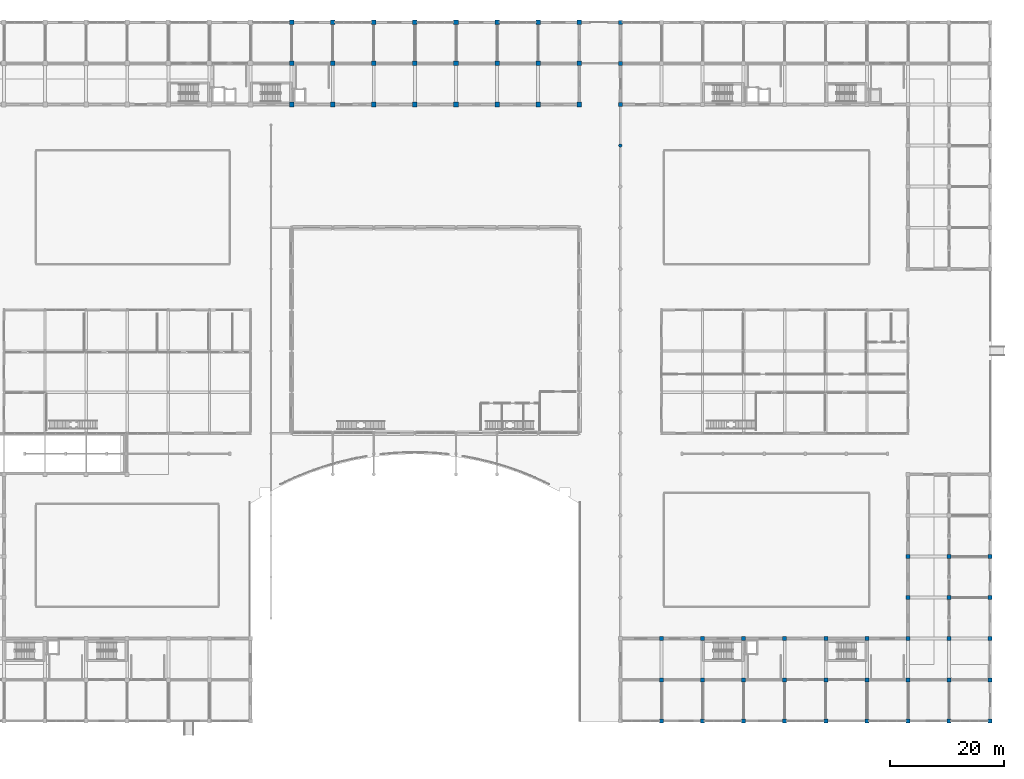
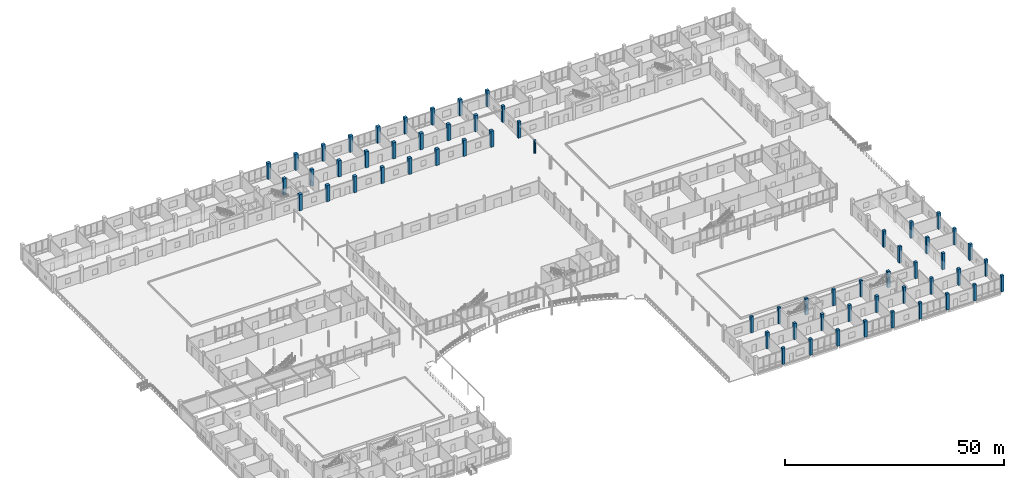
# One storey, part 14 of 139: 61 columns.
"""IFC4 building model written with IfcOpenShell, lengths in metres."""

from ifc_helpers import new_model, si_unit, direction, frame, origin, origin_2d, place, context, subcontext, project, spatial, rectangle, circle, extrude, material, material_profile, profile_set, type_object, element, save


model = new_model("IFC4")

# Units and contexts
model_context = context("Model", 3, precision=1e-05, world=origin(), true_north=direction((0.0, 1.0)))
body_context = subcontext(model_context, "Body", "Model", "MODEL_VIEW")
ifc_project = project(units=[si_unit("LENGTHUNIT", "METRE"), si_unit("AREAUNIT", "SQUARE_METRE"), si_unit("VOLUMEUNIT", "CUBIC_METRE"), si_unit("PLANEANGLEUNIT", "RADIAN"), si_unit("MASSUNIT", "GRAM", prefix="KILO")], contexts=[model_context])

# Site, building, storey
site_placement = place(None, origin())
site = spatial("IfcSite", under=ifc_project, at=site_placement, CompositionType="ELEMENT")
building_placement = place(site_placement, origin())
building = spatial("IfcBuilding", under=site, at=building_placement, Name="Suanplinth Sawtooth Commons", CompositionType="ELEMENT")
storey_placement = place(building_placement, origin())
storey = spatial("IfcBuildingStorey", under=building, at=storey_placement, Name="L00", CompositionType="ELEMENT", Elevation=0.0)

# Columns
ifc_material = material(Name="Concrete C40/50", Category="concrete")
ifc_material_profile_1 = material_profile(ifc_material, rectangle(XDim=0.800048828125, YDim=0.800048828125, at=origin_2d()), Name="RC-COL 800x800")
ifc_profile_set_1 = profile_set([ifc_material_profile_1], Name="Concrete C40/50")
column_type_1 = type_object("IfcColumnType", Name="C-01", PredefinedType="COLUMN", material=ifc_profile_set_1)
for number, where, z_axis, x_axis, name in (
    (1, (64.800048828125, 108.0, 0.0), (0.0, 0.0, 1.0), (1.0, 0.0, 0.0), "Column L00 10/R"),
    (2, (64.800048828125, 115.199951171875, 0.0), (0.0, 0.0, 1.0), (1.0, 0.0, 0.0), "Column L00 10/S"),
    (3, (64.800048828125, 122.39990234375, 0.0), (0.0, 0.0, 1.0), (1.0, 0.0, 0.0), "Column L00 10/T"),
    (4, (72.0, 108.0, 0.0), (0.0, 0.0, 1.0), (1.0, 0.0, 0.0), "Column L00 11/R"),
    (5, (72.0, 115.199951171875, 0.0), (0.0, 0.0, 1.0), (1.0, 0.0, 0.0), "Column L00 11/S"),
    (6, (72.0, 122.39990234375, 0.0), (0.0, 0.0, 1.0), (1.0, 0.0, 0.0), "Column L00 11/T"),
    (7, (79.199951171875, 108.0, 0.0), (0.0, 0.0, 1.0), (1.0, 0.0, 0.0), "Column L00 12/R"),
    (8, (79.199951171875, 115.199951171875, 0.0), (0.0, 0.0, 1.0), (1.0, 0.0, 0.0), "Column L00 12/S"),
    (9, (79.199951171875, 122.39990234375, 0.0), (0.0, 0.0, 1.0), (1.0, 0.0, 0.0), "Column L00 12/T"),
    (10, (86.39990234375, 108.0, 0.0), (0.0, 0.0, 1.0), (1.0, 0.0, 0.0), "Column L00 13/R"),
    (11, (86.39990234375, 115.199951171875, 0.0), (0.0, 0.0, 1.0), (1.0, 0.0, 0.0), "Column L00 13/S"),
    (12, (86.39990234375, 122.39990234375, 0.0), (0.0, 0.0, 1.0), (1.0, 0.0, 0.0), "Column L00 13/T"),
    (13, (93.60009765625, 108.0, 0.0), (0.0, 0.0, 1.0), (1.0, 0.0, 0.0), "Column L00 14/R"),
    (14, (93.60009765625, 115.199951171875, 0.0), (0.0, 0.0, 1.0), (1.0, 0.0, 0.0), "Column L00 14/S"),
    (15, (93.60009765625, 122.39990234375, 0.0), (0.0, 0.0, 1.0), (1.0, 0.0, 0.0), "Column L00 14/T"),
    (16, (100.800048828125, 108.0, 0.0), (0.0, 0.0, 1.0), (1.0, 0.0, 0.0), "Column L00 15/R"),
    (17, (100.800048828125, 115.199951171875, 0.0), (0.0, 0.0, 1.0), (1.0, 0.0, 0.0), "Column L00 15/S"),
    (18, (100.800048828125, 122.39990234375, 0.0), (0.0, 0.0, 1.0), (1.0, 0.0, 0.0), "Column L00 15/T"),
    (19, (108.0, 108.0, 0.0), (0.0, 0.0, 1.0), (1.0, 0.0, 0.0), "Column L00 16/R"),
    (20, (108.0, 115.199951171875, 0.0), (0.0, 0.0, 1.0), (1.0, 0.0, 0.0), "Column L00 16/S"),
    (21, (108.0, 122.39990234375, 0.0), (0.0, 0.0, 1.0), (1.0, 0.0, 0.0), "Column L00 16/T"),
    (22, (115.199951171875, 108.0, 0.0), (0.0, 0.0, 1.0), (1.0, 0.0, 0.0), "Column L00 17/R"),
    (23, (115.199951171875, 115.199951171875, 0.0), (0.0, 0.0, 1.0), (1.0, 0.0, 0.0), "Column L00 17/S"),
    (24, (115.199951171875, 122.39990234375, 0.0), (0.0, 0.0, 1.0), (1.0, 0.0, 0.0), "Column L00 17/T"),
):
    element("IfcColumn", number, at=place(storey_placement, frame(where, z_axis=z_axis, x_axis=x_axis)), inside=storey, type_object=column_type_1, Name=name, PredefinedType="COLUMN", context=body_context, shape_type="SweptSolid", body=[
        extrude(rectangle(XDim=0.800048828125, YDim=0.800048828125, at=origin_2d()), origin(), (0.0, 0.0, 1.0), 4.5),
    ])
ifc_material_profile_2 = material_profile(ifc_material, rectangle(XDim=0.699951171875, YDim=0.699951171875, at=origin_2d()), Name="RC-COL 700x700")
ifc_profile_set_2 = profile_set([ifc_material_profile_2], Name="Concrete C40/50")
column_type_2 = type_object("IfcColumnType", Name="C-02", PredefinedType="COLUMN", material=ifc_profile_set_2)
for number, where, z_axis, x_axis, name in (
    (25, (122.39990234375, 108.0, 0.0), (0.0, 0.0, 1.0), (1.0, 0.0, 0.0), "Column L00 18/R"),
    (26, (122.39990234375, 115.199951171875, 0.0), (0.0, 0.0, 1.0), (1.0, 0.0, 0.0), "Column L00 18/S"),
    (27, (122.39990234375, 122.39990234375, 0.0), (0.0, 0.0, 1.0), (1.0, 0.0, 0.0), "Column L00 18/T"),
    (28, (129.60009765625, 0.0, 0.0), (0.0, 0.0, 1.0), (1.0, 0.0, 0.0), "Column L00 19/A"),
    (29, (129.60009765625, 7.199951171875, 0.0), (0.0, 0.0, 1.0), (1.0, 0.0, 0.0), "Column L00 19/B"),
    (30, (129.60009765625, 14.39990234375, 0.0), (0.0, 0.0, 1.0), (1.0, 0.0, 0.0), "Column L00 19/C"),
    (31, (136.800048828125, 0.0, 0.0), (0.0, 0.0, 1.0), (1.0, 0.0, 0.0), "Column L00 20/A"),
    (32, (136.800048828125, 7.199951171875, 0.0), (0.0, 0.0, 1.0), (1.0, 0.0, 0.0), "Column L00 20/B"),
    (33, (136.800048828125, 14.39990234375, 0.0), (0.0, 0.0, 1.0), (1.0, 0.0, 0.0), "Column L00 20/C"),
    (34, (144.0, 0.0, 0.0), (0.0, 0.0, 1.0), (1.0, 0.0, 0.0), "Column L00 21/A"),
    (35, (144.0, 7.199951171875, 0.0), (0.0, 0.0, 1.0), (1.0, 0.0, 0.0), "Column L00 21/B"),
    (36, (144.0, 14.39990234375, 0.0), (0.0, 0.0, 1.0), (1.0, 0.0, 0.0), "Column L00 21/C"),
    (37, (151.199951171875, 0.0, 0.0), (0.0, 0.0, 1.0), (1.0, 0.0, 0.0), "Column L00 22/A"),
    (38, (151.199951171875, 7.199951171875, 0.0), (0.0, 0.0, 1.0), (1.0, 0.0, 0.0), "Column L00 22/B"),
    (39, (151.199951171875, 14.39990234375, 0.0), (0.0, 0.0, 1.0), (1.0, 0.0, 0.0), "Column L00 22/C"),
    (40, (158.39990234375, 0.0, 0.0), (0.0, 0.0, 1.0), (1.0, 0.0, 0.0), "Column L00 23/A"),
    (41, (158.39990234375, 7.199951171875, 0.0), (0.0, 0.0, 1.0), (1.0, 0.0, 0.0), "Column L00 23/B"),
    (42, (158.39990234375, 14.39990234375, 0.0), (0.0, 0.0, 1.0), (1.0, 0.0, 0.0), "Column L00 23/C"),
    (43, (165.60009765625, 0.0, 0.0), (0.0, 0.0, 1.0), (1.0, 0.0, 0.0), "Column L00 24/A"),
    (44, (165.60009765625, 7.199951171875, 0.0), (0.0, 0.0, 1.0), (1.0, 0.0, 0.0), "Column L00 24/B"),
    (45, (165.60009765625, 14.39990234375, 0.0), (0.0, 0.0, 1.0), (1.0, 0.0, 0.0), "Column L00 24/C"),
    (46, (172.800048828125, 0.0, 0.0), (0.0, 0.0, 1.0), (1.0, 0.0, 0.0), "Column L00 25/A"),
    (47, (172.800048828125, 7.199951171875, 0.0), (0.0, 0.0, 1.0), (1.0, 0.0, 0.0), "Column L00 25/B"),
    (48, (172.800048828125, 14.39990234375, 0.0), (0.0, 0.0, 1.0), (1.0, 0.0, 0.0), "Column L00 25/C"),
    (49, (172.800048828125, 21.60009765625, 0.0), (0.0, 0.0, 1.0), (1.0, 0.0, 0.0), "Column L00 25/D"),
    (50, (172.800048828125, 28.800048828125, 0.0), (0.0, 0.0, 1.0), (1.0, 0.0, 0.0), "Column L00 25/E"),
    (51, (180.0, 0.0, 0.0), (0.0, 0.0, 1.0), (1.0, 0.0, 0.0), "Column L00 26/A"),
    (52, (180.0, 7.199951171875, 0.0), (0.0, 0.0, 1.0), (1.0, 0.0, 0.0), "Column L00 26/B"),
    (53, (180.0, 14.39990234375, 0.0), (0.0, 0.0, 1.0), (1.0, 0.0, 0.0), "Column L00 26/C"),
    (54, (180.0, 21.60009765625, 0.0), (0.0, 0.0, 1.0), (1.0, 0.0, 0.0), "Column L00 26/D"),
    (55, (180.0, 28.800048828125, 0.0), (0.0, 0.0, 1.0), (1.0, 0.0, 0.0), "Column L00 26/E"),
    (56, (187.199951171875, 0.0, 0.0), (0.0, 0.0, 1.0), (1.0, 0.0, 0.0), "Column L00 27/A"),
    (57, (187.199951171875, 7.199951171875, 0.0), (0.0, 0.0, 1.0), (1.0, 0.0, 0.0), "Column L00 27/B"),
    (58, (187.199951171875, 14.39990234375, 0.0), (0.0, 0.0, 1.0), (1.0, 0.0, 0.0), "Column L00 27/C"),
    (59, (187.199951171875, 21.60009765625, 0.0), (0.0, 0.0, 1.0), (1.0, 0.0, 0.0), "Column L00 27/D"),
    (60, (187.199951171875, 28.800048828125, 0.0), (0.0, 0.0, 1.0), (1.0, 0.0, 0.0), "Column L00 27/E"),
):
    element("IfcColumn", number, at=place(storey_placement, frame(where, z_axis=z_axis, x_axis=x_axis)), inside=storey, type_object=column_type_2, Name=name, PredefinedType="COLUMN", context=body_context, shape_type="SweptSolid", body=[
        extrude(rectangle(XDim=0.699951171875, YDim=0.699951171875, at=origin_2d()), origin(), (0.0, 0.0, 1.0), 4.5),
    ])
ifc_material_profile_3 = material_profile(ifc_material, circle(Radius=0.300048828125, at=origin_2d()), Name="RC-CIRC D600")
ifc_profile_set_3 = profile_set([ifc_material_profile_3], Name="Concrete C40/50")
column_type_3 = type_object("IfcColumnType", Name="C-08", PredefinedType="COLUMN", material=ifc_profile_set_3)
column_placement = place(storey_placement, frame((122.39990234375, 100.800048828125, 0.0), z_axis=(0.0, 0.0, 1.0), x_axis=(1.0, 0.0, 0.0)))
element("IfcColumn", 61, at=column_placement, inside=storey, type_object=column_type_3, Name="Column L00 18/Q", PredefinedType="COLUMN", context=body_context, shape_type="SweptSolid", body=[
    extrude(circle(Radius=0.300048828125, at=origin_2d()), origin(), (0.0, 0.0, 1.0), 3.550048828125),
])

save(model, "model.ifc")
